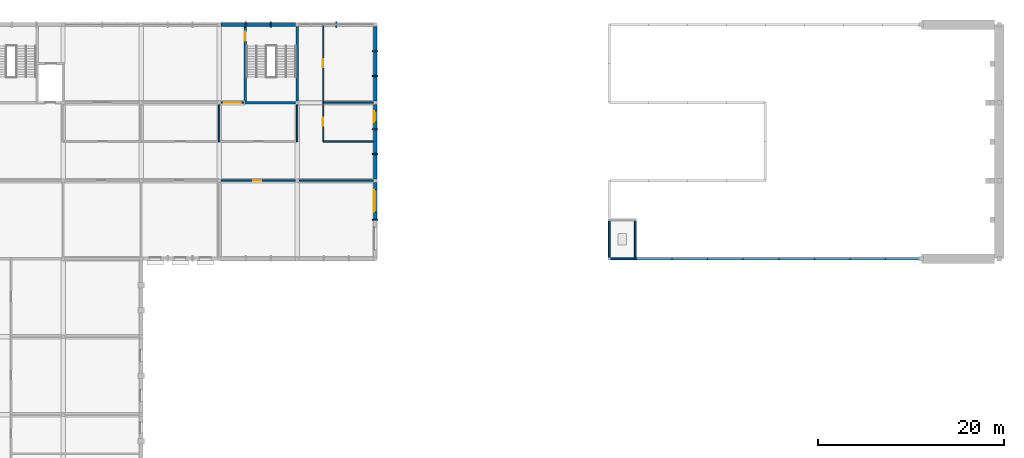
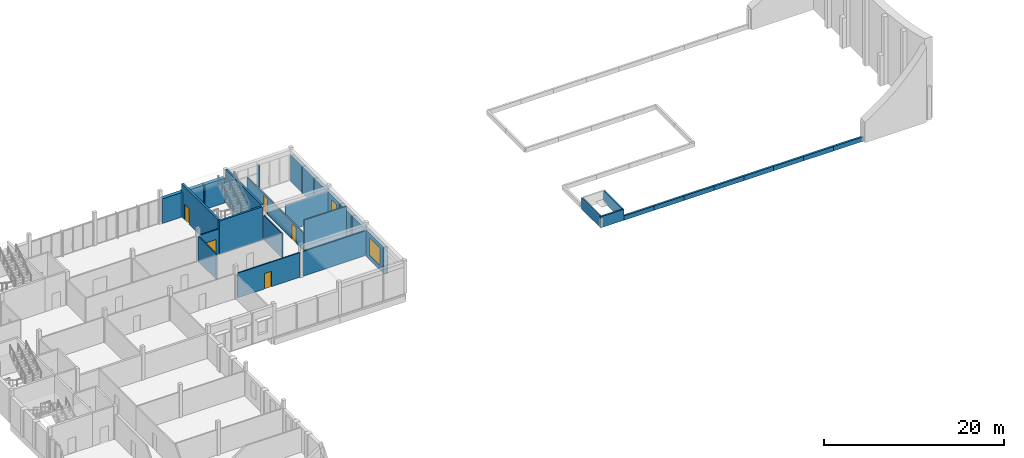
# One storey, part 19 of 22: 40 walls, 5 doors, 2 windows, 7 openings.
"""IFC4 building model written with IfcOpenShell, lengths in metres."""

import ifcopenshell
import ifcopenshell.guid

model = None  # the IFC model being written
_history = None  # IfcOwnerHistory: only IFC2X3 demands one
_inside = {}  # id of a spatial element -> (the spatial element, [elements in it])
_under = {}  # id of a project, library or spatial element -> (it, [spatial elements below it])
_declared = {}  # id of a project -> (the project, [libraries it declares])
_typed = {}  # id of a type object -> (the type object, [elements of that type])
_made_of = {}  # id of a material, layer set ... -> (it, [elements and type objects made of it])


def new_model(schema):
    """Start an empty IFC model of exactly this schema.

    Asked for "IFC4X3", IfcOpenShell would pick the latest addendum, in which some entities
    have other attributes; the version numbers below select the first issue.
    IFC2X3 requires an IfcOwnerHistory on every rooted entity: one is made here for all.
    """
    global model, _history
    if schema == "IFC4X3":
        model = ifcopenshell.file(schema_version=(4, 3, 0, 0))
    else:
        model = ifcopenshell.file(schema=schema)
    _inside.clear()
    _under.clear()
    _declared.clear()
    _typed.clear()
    _made_of.clear()
    _history = None
    if model.schema == "IFC2X3":
        org = make("IfcOrganization", Name="unknown")
        user = make(
            "IfcPersonAndOrganization",
            ThePerson=make("IfcPerson", FamilyName="unknown"),
            TheOrganization=org,
        )
        app = make(
            "IfcApplication",
            ApplicationDeveloper=org,
            Version="unknown",
            ApplicationFullName="unknown",
            ApplicationIdentifier="unknown",
        )
        _history = make(
            "IfcOwnerHistory",
            OwningUser=user,
            OwningApplication=app,
            ChangeAction="ADDED",
            CreationDate=0,
        )
    return model


def make(cls, **values):
    """One entity of the class cls with the attributes given. An attribute that is None is left unset."""
    return model.create_entity(
        cls, **{name: value for name, value in values.items() if value is not None}
    )


def rooted(cls, **values):
    """An entity with a GlobalId (a new one), such as an element, a storey or a relation."""
    return make(cls, GlobalId=ifcopenshell.guid.new(), OwnerHistory=_history, **values)


def si_unit(unit_type, name, prefix=None):
    """IfcSIUnit, for example si_unit("LENGTHUNIT", "METRE", prefix="MILLI")."""
    return make("IfcSIUnit", UnitType=unit_type, Prefix=prefix, Name=name)


def assignment(units):
    """IfcUnitAssignment: the units of a project."""
    return None if units is None else make("IfcUnitAssignment", Units=units)


def point(xyz):
    """IfcCartesianPoint."""
    return None if xyz is None else make("IfcCartesianPoint", Coordinates=xyz)


def direction(xyz):
    """IfcDirection."""
    return None if xyz is None else make("IfcDirection", DirectionRatios=xyz)


def frame(location, z_axis=None, x_axis=None):
    """IfcAxis2Placement3D, a coordinate frame: its origin and axes. An axis left out is left unset."""
    return make(
        "IfcAxis2Placement3D",
        Location=point(location),
        Axis=direction(z_axis),
        RefDirection=direction(x_axis),
    )


def frame_2d(location, x_axis=None):
    """IfcAxis2Placement2D, a coordinate frame in the plane: its origin and x axis."""
    return make(
        "IfcAxis2Placement2D", Location=point(location), RefDirection=direction(x_axis)
    )


def origin():
    """The frame at (0, 0, 0) with its axes left unset."""
    return frame((0.0, 0.0, 0.0))


def place(relative_to, where):
    """IfcLocalPlacement: puts the frame where relative to a parent placement (None: the world)."""
    return make(
        "IfcLocalPlacement", PlacementRelTo=relative_to, RelativePlacement=where
    )


def context(
    kind, dimensions, precision=None, world=None, true_north=None, identifier=None
):
    """IfcGeometricRepresentationContext, for example the 3D "Model" context."""
    return make(
        "IfcGeometricRepresentationContext",
        ContextIdentifier=identifier,
        ContextType=kind,
        CoordinateSpaceDimension=dimensions,
        Precision=precision,
        WorldCoordinateSystem=world,
        TrueNorth=true_north,
    )


def subcontext(parent, identifier, kind, view, scale=None):
    """IfcGeometricRepresentationSubContext, for example "Body" below "Model"."""
    return make(
        "IfcGeometricRepresentationSubContext",
        ContextIdentifier=identifier,
        ContextType=kind,
        ParentContext=parent,
        TargetScale=scale,
        TargetView=view,
    )


def project(units=None, contexts=None):
    """IfcProject with its units and contexts."""
    return rooted(
        "IfcProject",
        Name="project",
        RepresentationContexts=contexts,
        UnitsInContext=assignment(units),
    )


def spatial(cls, under=None, at=None, **own):
    """A site, building, storey or space (cls), placed at a placement, below another one or the project."""
    s = rooted(cls, ObjectPlacement=at, **own)
    if under is not None:
        _under.setdefault(under.id(), (under, []))[1].append(s)
    return s


def profile(cls, at=None, kind="AREA", **sizes):
    """A parametric profile (cls). Its sizes go by their IFC names, for example OverallWidth=200.0."""
    return make(cls, ProfileType=kind, Position=at, **sizes)


def rectangle(**sizes):
    """IfcRectangleProfileDef."""
    return profile("IfcRectangleProfileDef", **sizes)


def extrude(swept, where, along, depth):
    """IfcExtrudedAreaSolid: the profile swept, set in the frame where, extruded along a direction by depth."""
    return make(
        "IfcExtrudedAreaSolid",
        SweptArea=swept,
        Position=where,
        ExtrudedDirection=direction(along),
        Depth=depth,
    )


def shape(context_of_items, identifier, shape_type, items):
    """IfcShapeRepresentation: the items that make up one representation, for example the "Body"."""
    return make(
        "IfcShapeRepresentation",
        ContextOfItems=context_of_items,
        RepresentationIdentifier=identifier,
        RepresentationType=shape_type,
        Items=items,
    )


def material(Name=None, Category=None):
    """IfcMaterial."""
    return make("IfcMaterial", Name=Name, Category=Category)


def layer(
    of_material, thickness, ventilated=None, Name=None, Category=None, Priority=None
):
    """IfcMaterialLayer: one layer of a wall or slab, of a material (None: an air gap)."""
    return make(
        "IfcMaterialLayer",
        Material=of_material,
        LayerThickness=thickness,
        IsVentilated=ventilated,
        Name=Name,
        Category=Category,
        Priority=Priority,
    )


def layer_set(layers, Name=None):
    """IfcMaterialLayerSet."""
    return make("IfcMaterialLayerSet", MaterialLayers=layers, LayerSetName=Name)


def made_of(thing, what):
    """Note that an element or type object is made of a material, layer set ...; save() writes the relation."""
    if what is not None:
        _made_of.setdefault(what.id(), (what, []))[1].append(thing)
    return thing


def type_object(cls, material=None, **own):
    """A type object (cls), such as IfcWallType, which elements share."""
    return made_of(rooted(cls, **own), material)


def element(
    cls,
    number,
    at=None,
    inside=None,
    cuts=None,
    type_object=None,
    material=None,
    context=None,
    identifier="Body",
    shape_type=None,
    held_by="IfcProductDefinitionShape",
    body=None,
    shapes=None,
    **own,
):
    """One element of the class cls, such as IfcWall. Its Tag is "e" and its number.

    at: its placement. inside: the storey or other place that contains it. cuts: it is an
    opening in that element (IfcRelVoidsElement). A single representation is given by context,
    identifier, shape_type and body (its items); several are given by shapes. held_by: the class
    of the entity that holds the representations. save() writes the other relations.
    """
    e = rooted(cls, Tag="e%d" % number, ObjectPlacement=at, **own)
    if body is not None:
        shapes = [shape(context, identifier, shape_type, body)]
    if shapes is not None:
        e.Representation = make(held_by, Representations=shapes)
    if inside is not None:
        _inside.setdefault(inside.id(), (inside, []))[1].append(e)
    if cuts is not None:
        rooted(
            "IfcRelVoidsElement", RelatingBuildingElement=cuts, RelatedOpeningElement=e
        )
    if type_object is not None:
        _typed.setdefault(type_object.id(), (type_object, []))[1].append(e)
    return made_of(e, material)


def fill(opening, filler):
    """IfcRelFillsElement: the door or window that sits in an opening."""
    return rooted(
        "IfcRelFillsElement",
        RelatingOpeningElement=opening,
        RelatedBuildingElement=filler,
    )


def aggregate(whole, parts):
    """IfcRelAggregates: a whole, such as a stair, and the parts it consists of."""
    return rooted("IfcRelAggregates", RelatingObject=whole, RelatedObjects=parts)


def save(model, path):
    """Write the relations noted so far, then the file.

    IfcRelAggregates (storeys below a building ...), IfcRelContainedInSpatialStructure (elements
    in a storey), IfcRelDefinesByType, IfcRelAssociatesMaterial and IfcRelDeclares: one each for
    every whole, place, type object, material and project.
    """
    for whole, parts in _under.values():
        aggregate(whole, parts)
    for where, things in _inside.values():
        rooted(
            "IfcRelContainedInSpatialStructure",
            RelatedElements=things,
            RelatingStructure=where,
        )
    for kind, things in _typed.values():
        rooted("IfcRelDefinesByType", RelatedObjects=things, RelatingType=kind)
    for what, things in _made_of.values():
        rooted("IfcRelAssociatesMaterial", RelatedObjects=things, RelatingMaterial=what)
    for by, libraries in _declared.values():
        rooted("IfcRelDeclares", RelatingContext=by, RelatedDefinitions=libraries)
    model.write(path)


model = new_model("IFC4")

# Units and contexts
model_context = context("Model", 3, precision=1e-05, world=origin(), true_north=direction((0.0, 1.0)))
body_context = subcontext(model_context, "Body", "Model", "MODEL_VIEW")
ifc_project = project(units=[si_unit("LENGTHUNIT", "METRE"), si_unit("AREAUNIT", "SQUARE_METRE"), si_unit("VOLUMEUNIT", "CUBIC_METRE"), si_unit("PLANEANGLEUNIT", "RADIAN"), si_unit("MASSUNIT", "GRAM", prefix="KILO")], contexts=[model_context])

# Site, building, storey
site_placement = place(None, origin())
site = spatial("IfcSite", under=ifc_project, at=site_placement, CompositionType="ELEMENT")
building_placement = place(site_placement, origin())
building = spatial("IfcBuilding", under=site, at=building_placement, Name="Fescue Hill Polytechnic", CompositionType="ELEMENT")
storey_placement = place(building_placement, frame((0.0, 0.0, 27.0)))
storey = spatial("IfcBuildingStorey", under=building, at=storey_placement, Name="L06", CompositionType="ELEMENT", Elevation=27.0)

# Wall
ifc_material_1 = material(Name="Concrete 40 MPa", Category="concrete")
ifc_layer_1 = layer(ifc_material_1, 0.25)
ifc_layer_set_1 = layer_set([ifc_layer_1], Name="Concrete 40 MPa")
wall_type_1 = type_object("IfcWallType", Name="Core wall 250", PredefinedType="SHEAR", material=ifc_layer_set_1)
wall_1_placement = place(storey_placement, frame((36.27490234375, 126.0, 0.0), z_axis=(0.0, 0.0, 1.0), x_axis=(1.0, 0.0, 0.0)))
element("IfcWall", 1, at=wall_1_placement, inside=storey, type_object=wall_type_1, Name="CW-L06-ST-V5-2-11", PredefinedType="SHEAR", context=body_context, shape_type="SweptSolid", body=[
    extrude(rectangle(XDim=5.525146484375, YDim=0.25, at=frame_2d((2.7626953125, 0.0))), origin(), (0.0, 0.0, 1.0), 4.5),
])

# Wall, opening, door
wall_2_placement = place(storey_placement, frame((36.39990234375, 126.125, 0.0), z_axis=(0.0, 0.0, 1.0), x_axis=(0.0, 1.0, 0.0)))
wall_2 = element("IfcWall", 2, at=wall_2_placement, inside=storey, type_object=wall_type_1, Name="CW-L06-ST-V5-2-31", PredefinedType="SHEAR", context=body_context, shape_type="SweptSolid", body=[
    extrude(rectangle(XDim=8.14990234375, YDim=0.25, at=frame_2d((4.074951171875, 0.0))), origin(), (0.0, 0.0, 1.0), 4.5),
])
opening_1_placement = place(wall_2_placement, frame((6.52490234375, 0.0, 0.0)))
opening_1 = element("IfcOpeningElement", 3, at=opening_1_placement, cuts=wall_2, Name="Opening D6030", PredefinedType="OPENING", context=body_context, shape_type="SweptSolid", body=[
    extrude(rectangle(XDim=1.0, YDim=2.10009765625, at=frame_2d((0.5, 1.050048828125))), frame((0.0, 0.135009765625, 0.0), z_axis=(0.0, -1.0, 0.0), x_axis=(1.0, 0.0, 0.0)), (0.0, 0.0, 1.0), 0.27001953125),
])
ifc_material_2 = material(Name="Steel fire door", Category="steel")
door_type_1 = type_object("IfcDoorType", Name="Door single swing 1000x2100 stair fire rated", OperationType="NOTDEFINED", PredefinedType="DOOR", material=ifc_material_2)
door_1_placement = place(opening_1_placement, origin())
door_1 = element("IfcDoor", 4, at=door_1_placement, inside=storey, type_object=door_type_1, Name="L06 ST-V5-2 stair door", OperationType="SINGLE_SWING_LEFT", OverallHeight=2.10009765625, OverallWidth=1.0, PredefinedType="DOOR", context=body_context, shape_type="SweptSolid", body=[
    extrude(rectangle(XDim=1.0, YDim=2.10009765625, at=frame_2d((0.5, 1.050048828125))), frame((0.0, 0.02490234375, 0.0), z_axis=(0.0, -1.0, 0.0), x_axis=(1.0, 0.0, 0.0)), (0.0, 0.0, 1.0), 0.050048828125),
])
fill(opening_1, door_1)

# Wall
wall_3_placement = place(storey_placement, frame((42.0, 126.199951171875, 0.0), z_axis=(0.0, 0.0, 1.0), x_axis=(0.0, 1.0, 0.0)))
element("IfcWall", 5, at=wall_3_placement, inside=storey, type_object=wall_type_1, Name="CW-L06-ST-V5-2-41", PredefinedType="SHEAR", context=body_context, shape_type="SweptSolid", body=[
    extrude(rectangle(XDim=8.0, YDim=0.25, at=frame_2d((4.0, 0.0))), origin(), (0.0, 0.0, 1.0), 4.5),
])

# Wall, opening, door
ifc_material_3 = material(Name="Gypsum board partition")
ifc_layer_2 = layer(ifc_material_3, 0.14990234375)
ifc_layer_set_2 = layer_set([ifc_layer_2], Name="Gypsum board partition")
wall_type_2 = type_object("IfcWallType", Name="Corridor wall 150 EI 45", PredefinedType="PARTITIONING", material=ifc_layer_set_2)
wall_4_placement = place(storey_placement, frame((33.800048828125, 117.60009765625, 0.0), z_axis=(0.0, 0.0, 1.0), x_axis=(1.0, 0.0, 0.0)))
wall_4 = element("IfcWall", 6, at=wall_4_placement, inside=storey, type_object=wall_type_2, Name="IW-L06-025", PredefinedType="PARTITIONING", context=body_context, shape_type="SweptSolid", body=[
    extrude(rectangle(XDim=8.0, YDim=0.14990234375, at=frame_2d((4.0, 0.0))), origin(), (0.0, 0.0, 1.0), 3.35009765625),
])
opening_2_placement = place(wall_4_placement, frame((3.449951171875, 0.0, 0.0)))
opening_2 = element("IfcOpeningElement", 7, at=opening_2_placement, cuts=wall_4, Name="Opening D6017", PredefinedType="OPENING", context=body_context, shape_type="SweptSolid", body=[
    extrude(rectangle(XDim=0.89990234375, YDim=2.10009765625, at=frame_2d((0.449951171875, 1.050048828125))), frame((0.0, 0.0849609375, 0.0), z_axis=(0.0, -1.0, 0.0), x_axis=(1.0, 0.0, 0.0)), (0.0, 0.0, 1.0), 0.169921875),
])
ifc_material_4 = material(Name="Timber", Category="wood")
door_type_2 = type_object("IfcDoorType", Name="Door single swing 900x2100 FD30S", OperationType="SINGLE_SWING_LEFT", PredefinedType="DOOR", material=ifc_material_4)
door_2_placement = place(opening_2_placement, origin())
door_2 = element("IfcDoor", 8, at=door_2_placement, inside=storey, type_object=door_type_2, Name="Door D6017", OperationType="SINGLE_SWING_LEFT", OverallHeight=2.10009765625, OverallWidth=0.89990234375, PredefinedType="DOOR", context=body_context, shape_type="SweptSolid", body=[
    extrude(rectangle(XDim=0.89990234375, YDim=2.10009765625, at=frame_2d((0.449951171875, 1.050048828125))), frame((0.0, 0.02490234375, 0.0), z_axis=(0.0, -1.0, 0.0), x_axis=(1.0, 0.0, 0.0)), (0.0, 0.0, 1.0), 0.050048828125),
])
fill(opening_2, door_2)

# Walls
wall_5_placement = place(storey_placement, frame((42.199951171875, 117.60009765625, 0.0), z_axis=(0.0, 0.0, 1.0), x_axis=(1.0, 0.0, 0.0)))
element("IfcWall", 9, at=wall_5_placement, inside=storey, type_object=wall_type_2, Name="IW-L06-026", PredefinedType="PARTITIONING", context=body_context, shape_type="SweptSolid", body=[
    extrude(rectangle(XDim=8.0, YDim=0.14990234375, at=frame_2d((4.0, 0.0))), origin(), (0.0, 0.0, 1.0), 3.35009765625),
])
wall_6_placement = place(storey_placement, frame((44.800048828125, 121.800048828125, 0.0), z_axis=(0.0, 0.0, 1.0), x_axis=(1.0, 0.0, 0.0)))
element("IfcWall", 10, at=wall_6_placement, inside=storey, type_object=wall_type_2, Name="IW-L06-029", PredefinedType="PARTITIONING", context=body_context, shape_type="SweptSolid", body=[
    extrude(rectangle(XDim=5.39990234375, YDim=0.14990234375, at=frame_2d((2.699951171875, 0.0))), origin(), (0.0, 0.0, 1.0), 4.14990234375),
])
wall_7_placement = place(storey_placement, frame((42.0, 121.800048828125, 0.0), z_axis=(0.0, 0.0, 1.0), x_axis=(0.0, 1.0, 0.0)))
element("IfcWall", 11, at=wall_7_placement, inside=storey, type_object=wall_type_2, Name="IW-L06-053", PredefinedType="PARTITIONING", context=body_context, shape_type="SweptSolid", body=[
    extrude(rectangle(XDim=4.0, YDim=0.14990234375, at=frame_2d((2.0, 0.0))), origin(), (0.0, 0.0, 1.0), 3.35009765625),
])

# Wall, openings, doors
wall_8_placement = place(storey_placement, frame((44.800048828125, 121.800048828125, 0.0), z_axis=(0.0, 0.0, 1.0), x_axis=(0.0, 1.0, 0.0)))
wall_8 = element("IfcWall", 12, at=wall_8_placement, inside=storey, type_object=wall_type_2, Name="IW-L06-054", PredefinedType="PARTITIONING", context=body_context, shape_type="SweptSolid", body=[
    extrude(rectangle(XDim=12.599853515625, YDim=0.14990234375, at=frame_2d((6.2998046875, 0.0))), origin(), (0.0, 0.0, 1.0), 2.3701171875),
])
opening_3_placement = place(wall_8_placement, frame((1.699951171875, 0.0, 0.0)))
opening_3 = element("IfcOpeningElement", 13, at=opening_3_placement, cuts=wall_8, Name="Opening D6021", PredefinedType="OPENING", context=body_context, shape_type="SweptSolid", body=[
    extrude(rectangle(XDim=0.89990234375, YDim=2.10009765625, at=frame_2d((0.449951171875, 1.050048828125))), frame((0.0, 0.0849609375, 0.0), z_axis=(0.0, -1.0, 0.0), x_axis=(1.0, 0.0, 0.0)), (0.0, 0.0, 1.0), 0.169921875),
])
opening_4_placement = place(wall_8_placement, frame((8.0, 0.0, 0.0)))
opening_4 = element("IfcOpeningElement", 14, at=opening_4_placement, cuts=wall_8, Name="Opening D6025", PredefinedType="OPENING", context=body_context, shape_type="SweptSolid", body=[
    extrude(rectangle(XDim=0.89990234375, YDim=2.10009765625, at=frame_2d((0.449951171875, 1.050048828125))), frame((0.0, 0.0849609375, 0.0), z_axis=(0.0, -1.0, 0.0), x_axis=(1.0, 0.0, 0.0)), (0.0, 0.0, 1.0), 0.169921875),
])
door_3_placement = place(opening_3_placement, origin())
door_3 = element("IfcDoor", 15, at=door_3_placement, inside=storey, type_object=door_type_2, Name="Door D6021", OperationType="SINGLE_SWING_LEFT", OverallHeight=2.10009765625, OverallWidth=0.89990234375, PredefinedType="DOOR", context=body_context, shape_type="SweptSolid", body=[
    extrude(rectangle(XDim=0.89990234375, YDim=2.10009765625, at=frame_2d((0.449951171875, 1.050048828125))), frame((0.0, 0.02490234375, 0.0), z_axis=(0.0, -1.0, 0.0), x_axis=(1.0, 0.0, 0.0)), (0.0, 0.0, 1.0), 0.050048828125),
])
fill(opening_3, door_3)
door_4_placement = place(opening_4_placement, origin())
door_4 = element("IfcDoor", 16, at=door_4_placement, inside=storey, type_object=door_type_2, Name="Door D6025", OperationType="SINGLE_SWING_RIGHT", OverallHeight=2.10009765625, OverallWidth=0.89990234375, PredefinedType="DOOR", context=body_context, shape_type="SweptSolid", body=[
    extrude(rectangle(XDim=0.89990234375, YDim=2.10009765625, at=frame_2d((0.449951171875, 1.050048828125))), frame((0.0, 0.02490234375, 0.0), z_axis=(0.0, -1.0, 0.0), x_axis=(1.0, 0.0, 0.0)), (0.0, 0.0, 1.0), 0.050048828125),
])
fill(opening_4, door_4)

# Walls
ifc_layer_3 = layer(ifc_material_1, 0.449951171875)
ifc_layer_set_3 = layer_set([ifc_layer_3], Name="Concrete 40 MPa")
wall_type_3 = type_object("IfcWallType", Name="Exterior wall board-marked concrete 450", PredefinedType="SOLIDWALL", material=ifc_layer_set_3)
wall_9_placement = place(storey_placement, frame((36.40673828125, 134.39990234375, 0.0), z_axis=(0.0, 0.0, 1.0), x_axis=(-1.0, 0.0, 0.0)))
element("IfcWall", 17, at=wall_9_placement, inside=storey, type_object=wall_type_3, Name="EW-L06-V5-12", PredefinedType="SOLIDWALL", context=body_context, shape_type="SweptSolid", body=[
    extrude(rectangle(XDim=2.606689453125, YDim=0.449951171875, at=frame_2d((1.30322265625, 0.0))), origin(), (0.0, 0.0, 1.0), 3.35009765625),
])
ifc_layer_4 = layer(ifc_material_1, 0.449951171875)
ifc_layer_set_4 = layer_set([ifc_layer_4], Name="Concrete 40 MPa")
wall_type_4 = type_object("IfcWallType", Name="Exterior wall board-marked concrete 450 load-bearing", PredefinedType="SOLIDWALL", material=ifc_layer_set_4)
wall_10_placement = place(storey_placement, frame((41.800048828125, 134.39990234375, 0.0), z_axis=(0.0, 0.0, 1.0), x_axis=(-1.0, 0.0, 0.0)))
element("IfcWall", 18, at=wall_10_placement, inside=storey, type_object=wall_type_4, Name="EW-L06-V5-10", PredefinedType="SOLIDWALL", context=body_context, shape_type="SweptSolid", body=[
    extrude(rectangle(XDim=2.606689453125, YDim=0.449951171875, at=frame_2d((1.30322265625, 0.0))), origin(), (0.0, 0.0, 1.0), 3.35009765625),
])
wall_11_placement = place(storey_placement, frame((39.0732421875, 134.39990234375, 0.0), z_axis=(0.0, 0.0, 1.0), x_axis=(-1.0, 0.0, 0.0)))
element("IfcWall", 19, at=wall_11_placement, inside=storey, type_object=wall_type_4, Name="EW-L06-V5-11", PredefinedType="SOLIDWALL", context=body_context, shape_type="SweptSolid", body=[
    extrude(rectangle(XDim=2.546630859375, YDim=0.449951171875, at=frame_2d((1.2734375, 0.0))), origin(), (0.0, 0.0, 1.0), 3.35009765625),
])

# Wall, opening, window
ifc_material_5 = material(Name="Clay brick masonry", Category="masonry")
ifc_layer_5 = layer(ifc_material_5, 0.39990234375)
ifc_layer_set_5 = layer_set([ifc_layer_5], Name="Clay brick masonry")
wall_type_5 = type_object("IfcWallType", Name="Exterior wall clinker brick cavity 400", PredefinedType="SOLIDWALL", material=ifc_layer_set_5)
wall_12_placement = place(storey_placement, frame((50.39990234375, 113.4599609375, 0.0), z_axis=(0.0, 0.0, 1.0), x_axis=(0.0, 1.0, 0.0)))
wall_12 = element("IfcWall", 20, at=wall_12_placement, inside=storey, type_object=wall_type_5, Name="EW-L06-V5-2", PredefinedType="SOLIDWALL", context=body_context, shape_type="SweptSolid", body=[
    extrude(rectangle(XDim=3.93994140625, YDim=0.39990234375, at=frame_2d((1.969970703125, 0.0))), origin(), (0.0, 0.0, 1.0), 3.60009765625),
])
opening_5_placement = place(wall_12_placement, frame((0.77001953125, 0.0, 0.60009765625)))
opening_5 = element("IfcOpeningElement", 21, at=opening_5_placement, cuts=wall_12, Name="Opening W4", PredefinedType="OPENING", context=body_context, shape_type="SweptSolid", body=[
    extrude(rectangle(XDim=2.39990234375, YDim=2.39990234375, at=frame_2d((1.199951171875, 1.199951171875))), frame((0.0, 0.2099609375, 0.0), z_axis=(0.0, -1.0, 0.0), x_axis=(1.0, 0.0, 0.0)), (0.0, 0.0, 1.0), 0.419921875),
])
ifc_material_6 = material(Name="Powder-coated aluminium and glass", Category="aluminium")
window_type_1 = type_object("IfcWindowType", Name="Window library tall 2400x2400", PartitioningType="DOUBLE_PANEL_VERTICAL", PredefinedType="WINDOW", material=ifc_material_6)
window_1_placement = place(opening_5_placement, origin())
window_1 = element("IfcWindow", 22, at=window_1_placement, inside=storey, type_object=window_type_1, Name="WN-L06-V5-2", OverallHeight=2.39990234375, OverallWidth=2.39990234375, PartitioningType="SINGLE_PANEL", PredefinedType="WINDOW", context=body_context, shape_type="SweptSolid", body=[
    extrude(rectangle(XDim=2.39990234375, YDim=2.39990234375, at=frame_2d((1.199951171875, 1.199951171875))), frame((0.0, 0.159912109375, 0.0), z_axis=(0.0, -1.0, 0.0), x_axis=(1.0, 0.0, 0.0)), (0.0, 0.0, 1.0), 0.06005859375),
])
fill(opening_5, window_1)

# Walls
wall_13_placement = place(storey_placement, frame((50.39990234375, 117.800048828125, 0.0), z_axis=(0.0, 0.0, 1.0), x_axis=(0.0, 1.0, 0.0)))
element("IfcWall", 23, at=wall_13_placement, inside=storey, type_object=wall_type_5, Name="EW-L06-V5-3", PredefinedType="SOLIDWALL", context=body_context, shape_type="SweptSolid", body=[
    extrude(rectangle(XDim=2.606689453125, YDim=0.39990234375, at=frame_2d((1.30322265625, 0.0))), origin(), (0.0, 0.0, 1.0), 3.60009765625),
])
wall_14_placement = place(storey_placement, frame((50.39990234375, 120.526611328125, 0.0), z_axis=(0.0, 0.0, 1.0), x_axis=(0.0, 1.0, 0.0)))
element("IfcWall", 24, at=wall_14_placement, inside=storey, type_object=wall_type_5, Name="EW-L06-V5-4", PredefinedType="SOLIDWALL", context=body_context, shape_type="SweptSolid", body=[
    extrude(rectangle(XDim=2.546630859375, YDim=0.39990234375, at=frame_2d((1.2734375, 0.0))), origin(), (0.0, 0.0, 1.0), 3.60009765625),
])

# Wall, opening, window
wall_15_placement = place(storey_placement, frame((50.39990234375, 123.193359375, 0.0), z_axis=(0.0, 0.0, 1.0), x_axis=(0.0, 1.0, 0.0)))
wall_15 = element("IfcWall", 25, at=wall_15_placement, inside=storey, type_object=wall_type_5, Name="EW-L06-V5-5", PredefinedType="SOLIDWALL", context=body_context, shape_type="SweptSolid", body=[
    extrude(rectangle(XDim=2.606689453125, YDim=0.39990234375, at=frame_2d((1.30322265625, 0.0))), origin(), (0.0, 0.0, 1.0), 3.60009765625),
])
opening_6_placement = place(wall_15_placement, frame((0.703369140625, 0.0, 0.89990234375)))
opening_6 = element("IfcOpeningElement", 26, at=opening_6_placement, cuts=wall_15, Name="Opening W13", PredefinedType="OPENING", context=body_context, shape_type="SweptSolid", body=[
    extrude(rectangle(XDim=1.199951171875, YDim=2.10009765625, at=frame_2d((0.60009765625, 1.050048828125))), frame((0.0, 0.2099609375, 0.0), z_axis=(0.0, -1.0, 0.0), x_axis=(1.0, 0.0, 0.0)), (0.0, 0.0, 1.0), 0.419921875),
])
window_type_2 = type_object("IfcWindowType", Name="Window cellular office 1200x2100", PartitioningType="SINGLE_PANEL", PredefinedType="WINDOW", material=ifc_material_6)
window_2_placement = place(opening_6_placement, origin())
window_2 = element("IfcWindow", 27, at=window_2_placement, inside=storey, type_object=window_type_2, Name="WN-L06-V5-3", OverallHeight=2.10009765625, OverallWidth=1.199951171875, PartitioningType="SINGLE_PANEL", PredefinedType="WINDOW", context=body_context, shape_type="SweptSolid", body=[
    extrude(rectangle(XDim=1.199951171875, YDim=2.10009765625, at=frame_2d((0.60009765625, 1.050048828125))), frame((0.0, 0.159912109375, 0.0), z_axis=(0.0, -1.0, 0.0), x_axis=(1.0, 0.0, 0.0)), (0.0, 0.0, 1.0), 0.06005859375),
])
fill(opening_6, window_2)

# Walls
wall_16_placement = place(storey_placement, frame((50.39990234375, 126.199951171875, 0.0), z_axis=(0.0, 0.0, 1.0), x_axis=(0.0, 1.0, 0.0)))
element("IfcWall", 28, at=wall_16_placement, inside=storey, type_object=wall_type_5, Name="EW-L06-V5-6", PredefinedType="SOLIDWALL", context=body_context, shape_type="SweptSolid", body=[
    extrude(rectangle(XDim=2.606689453125, YDim=0.39990234375, at=frame_2d((1.30322265625, 0.0))), origin(), (0.0, 0.0, 1.0), 3.60009765625),
])
wall_17_placement = place(storey_placement, frame((50.39990234375, 128.9267578125, 0.0), z_axis=(0.0, 0.0, 1.0), x_axis=(0.0, 1.0, 0.0)))
element("IfcWall", 29, at=wall_17_placement, inside=storey, type_object=wall_type_5, Name="EW-L06-V5-7", PredefinedType="SOLIDWALL", context=body_context, shape_type="SweptSolid", body=[
    extrude(rectangle(XDim=2.546630859375, YDim=0.39990234375, at=frame_2d((1.2734375, 0.0))), origin(), (0.0, 0.0, 1.0), 3.60009765625),
])
wall_18_placement = place(storey_placement, frame((50.39990234375, 131.59326171875, 0.0), z_axis=(0.0, 0.0, 1.0), x_axis=(0.0, 1.0, 0.0)))
element("IfcWall", 30, at=wall_18_placement, inside=storey, type_object=wall_type_5, Name="EW-L06-V5-8", PredefinedType="SOLIDWALL", context=body_context, shape_type="SweptSolid", body=[
    extrude(rectangle(XDim=2.606689453125, YDim=0.39990234375, at=frame_2d((1.30322265625, 0.0))), origin(), (0.0, 0.0, 1.0), 3.60009765625),
])
ifc_layer_6 = layer(ifc_material_1, 0.199951171875)
ifc_layer_set_6 = layer_set([ifc_layer_6], Name="Concrete 40 MPa")
wall_type_6 = type_object("IfcWallType", Name="Lift shaft wall 200", PredefinedType="SHEAR", material=ifc_layer_set_6)
wall_19_placement = place(storey_placement, frame((75.5, 109.199951171875, 0.0), z_axis=(0.0, 0.0, 1.0), x_axis=(1.0, 0.0, 0.0)))
element("IfcWall", 31, at=wall_19_placement, inside=storey, type_object=wall_type_6, Name="OW-LF-V4b-1-1", PredefinedType="SHEAR", context=body_context, shape_type="SweptSolid", body=[
    extrude(rectangle(XDim=3.0, YDim=0.199951171875, at=frame_2d((1.5, 0.0))), origin(), (0.0, 0.0, 1.0), 1.5),
])
for number, where, z_axis, x_axis, name in (
    (32, (75.60009765625, 109.300048828125, 0.0), (0.0, 0.0, 1.0), (0.0, 1.0, 0.0), "OW-LF-V4b-1-3"),
    (33, (78.39990234375, 109.300048828125, 0.0), (0.0, 0.0, 1.0), (0.0, 1.0, 0.0), "OW-LF-V4b-1-4"),
):
    element("IfcWall", number, at=place(storey_placement, frame(where, z_axis=z_axis, x_axis=x_axis)), inside=storey, type_object=wall_type_6, Name=name, PredefinedType="SHEAR", context=body_context, shape_type="SweptSolid", body=[
        extrude(rectangle(XDim=4.0, YDim=0.199951171875, at=frame_2d((2.0, 0.0))), origin(), (0.0, 0.0, 1.0), 1.5),
    ])
ifc_material_7 = material(Name="Concrete 35 MPa", Category="concrete")
ifc_layer_7 = layer(ifc_material_7, 0.25)
ifc_layer_set_7 = layer_set([ifc_layer_7], Name="Concrete 35 MPa")
wall_type_7 = type_object("IfcWallType", Name="Parapet wall concrete 250", PredefinedType="PARAPET", material=ifc_layer_set_7)
wall_20_placement = place(storey_placement, frame((109.199951171875, 109.199951171875, 0.0), z_axis=(0.0, 0.0, 1.0), x_axis=(-1.0, 0.0, 0.0)))
element("IfcWall", 34, at=wall_20_placement, inside=storey, type_object=wall_type_7, Name="PP-L06-V4b-1", PredefinedType="PARAPET", context=body_context, shape_type="SweptSolid", body=[
    extrude(rectangle(XDim=3.83740234375, YDim=0.25, at=frame_2d((1.918701171875, 0.0))), origin(), (0.0, 0.0, 1.0), 0.60009765625),
])
wall_21_placement = place(storey_placement, frame((105.362548828125, 109.199951171875, 0.0), z_axis=(0.0, 0.0, 1.0), x_axis=(-1.0, 0.0, 0.0)))
element("IfcWall", 35, at=wall_21_placement, inside=storey, type_object=wall_type_7, Name="PP-L06-V4b-2", PredefinedType="PARAPET", context=body_context, shape_type="SweptSolid", body=[
    extrude(rectangle(XDim=3.837646484375, YDim=0.25, at=frame_2d((1.9189453125, 0.0))), origin(), (0.0, 0.0, 1.0), 0.60009765625),
])
for number, where, z_axis, x_axis, name in (
    (36, (101.52490234375, 109.199951171875, 0.0), (0.0, 0.0, 1.0), (-1.0, 0.0, 0.0), "PP-L06-V4b-3"),
    (37, (97.6875, 109.199951171875, 0.0), (0.0, 0.0, 1.0), (-1.0, 0.0, 0.0), "PP-L06-V4b-4"),
):
    element("IfcWall", number, at=place(storey_placement, frame(where, z_axis=z_axis, x_axis=x_axis)), inside=storey, type_object=wall_type_7, Name=name, PredefinedType="PARAPET", context=body_context, shape_type="SweptSolid", body=[
        extrude(rectangle(XDim=3.83740234375, YDim=0.25, at=frame_2d((1.918701171875, 0.0))), origin(), (0.0, 0.0, 1.0), 0.60009765625),
    ])
wall_22_placement = place(storey_placement, frame((93.85009765625, 109.199951171875, 0.0), z_axis=(0.0, 0.0, 1.0), x_axis=(-1.0, 0.0, 0.0)))
element("IfcWall", 38, at=wall_22_placement, inside=storey, type_object=wall_type_7, Name="PP-L06-V4b-5", PredefinedType="PARAPET", context=body_context, shape_type="SweptSolid", body=[
    extrude(rectangle(XDim=3.837646484375, YDim=0.25, at=frame_2d((1.9189453125, 0.0))), origin(), (0.0, 0.0, 1.0), 0.60009765625),
])
wall_23_placement = place(storey_placement, frame((90.012451171875, 109.199951171875, 0.0), z_axis=(0.0, 0.0, 1.0), x_axis=(-1.0, 0.0, 0.0)))
element("IfcWall", 39, at=wall_23_placement, inside=storey, type_object=wall_type_7, Name="PP-L06-V4b-6", PredefinedType="PARAPET", context=body_context, shape_type="SweptSolid", body=[
    extrude(rectangle(XDim=3.83740234375, YDim=0.25, at=frame_2d((1.918701171875, 0.0))), origin(), (0.0, 0.0, 1.0), 0.60009765625),
])
wall_24_placement = place(storey_placement, frame((86.175048828125, 109.199951171875, 0.0), z_axis=(0.0, 0.0, 1.0), x_axis=(-1.0, 0.0, 0.0)))
element("IfcWall", 40, at=wall_24_placement, inside=storey, type_object=wall_type_7, Name="PP-L06-V4b-7", PredefinedType="PARAPET", context=body_context, shape_type="SweptSolid", body=[
    extrude(rectangle(XDim=3.837646484375, YDim=0.25, at=frame_2d((1.9189453125, 0.0))), origin(), (0.0, 0.0, 1.0), 0.60009765625),
])
wall_25_placement = place(storey_placement, frame((82.33740234375, 109.199951171875, 0.0), z_axis=(0.0, 0.0, 1.0), x_axis=(-1.0, 0.0, 0.0)))
element("IfcWall", 41, at=wall_25_placement, inside=storey, type_object=wall_type_7, Name="PP-L06-V4b-8", PredefinedType="PARAPET", context=body_context, shape_type="SweptSolid", body=[
    extrude(rectangle(XDim=3.83740234375, YDim=0.25, at=frame_2d((1.918701171875, 0.0))), origin(), (0.0, 0.0, 1.0), 0.60009765625),
])

# Wall, opening, door
ifc_layer_8 = layer(ifc_material_3, 0.14990234375)
ifc_layer_set_8 = layer_set([ifc_layer_8], Name="Gypsum board partition")
wall_type_8 = type_object("IfcWallType", Name="Partition stud 150 acoustic", PredefinedType="PARTITIONING", material=ifc_layer_set_8)
wall_26_placement = place(storey_placement, frame((33.800048828125, 126.0, 0.0), z_axis=(0.0, 0.0, 1.0), x_axis=(1.0, 0.0, 0.0)))
wall_26 = element("IfcWall", 42, at=wall_26_placement, inside=storey, type_object=wall_type_8, Name="IW-L06-032", PredefinedType="PARTITIONING", context=body_context, shape_type="SweptSolid", body=[
    extrude(rectangle(XDim=2.449951171875, YDim=0.14990234375, at=frame_2d((1.22509765625, 0.0))), origin(), (0.0, 0.0, 1.0), 3.39990234375),
])
opening_7_placement = place(wall_26_placement, frame((0.300048828125, 0.0, 0.0)))
opening_7 = element("IfcOpeningElement", 43, at=opening_7_placement, cuts=wall_26, Name="Opening D6023", PredefinedType="OPENING", context=body_context, shape_type="SweptSolid", body=[
    extrude(rectangle(XDim=1.800048828125, YDim=2.10009765625, at=frame_2d((0.89990234375, 1.050048828125))), frame((0.0, 0.0849609375, 0.0), z_axis=(0.0, -1.0, 0.0), x_axis=(1.0, 0.0, 0.0)), (0.0, 0.0, 1.0), 0.169921875),
])
door_type_3 = type_object("IfcDoorType", Name="Door double swing 1800x2100", OperationType="DOUBLE_DOOR_SINGLE_SWING", PredefinedType="DOOR", material=ifc_material_4)
door_5_placement = place(opening_7_placement, origin())
door_5 = element("IfcDoor", 44, at=door_5_placement, inside=storey, type_object=door_type_3, Name="Door D6023", OperationType="DOUBLE_DOOR_SINGLE_SWING", OverallHeight=2.10009765625, OverallWidth=1.800048828125, PredefinedType="DOOR", context=body_context, shape_type="SweptSolid", body=[
    extrude(rectangle(XDim=1.800048828125, YDim=2.10009765625, at=frame_2d((0.89990234375, 1.050048828125))), frame((0.0, 0.02490234375, 0.0), z_axis=(0.0, -1.0, 0.0), x_axis=(1.0, 0.0, 0.0)), (0.0, 0.0, 1.0), 0.050048828125),
])
fill(opening_7, door_5)

# Walls
wall_27_placement = place(storey_placement, frame((44.800048828125, 126.0, 0.0), z_axis=(0.0, 0.0, 1.0), x_axis=(1.0, 0.0, 0.0)))
element("IfcWall", 45, at=wall_27_placement, inside=storey, type_object=wall_type_8, Name="IW-L06-033", PredefinedType="PARTITIONING", context=body_context, shape_type="SweptSolid", body=[
    extrude(rectangle(XDim=5.39990234375, YDim=0.14990234375, at=frame_2d((2.699951171875, 0.0))), origin(), (0.0, 0.0, 1.0), 3.60009765625),
])
wall_28_placement = place(storey_placement, frame((33.60009765625, 121.800048828125, 0.0), z_axis=(0.0, 0.0, 1.0), x_axis=(0.0, 1.0, 0.0)))
element("IfcWall", 46, at=wall_28_placement, inside=storey, type_object=wall_type_8, Name="IW-L06-052", PredefinedType="PARTITIONING", context=body_context, shape_type="SweptSolid", body=[
    extrude(rectangle(XDim=4.0, YDim=0.14990234375, at=frame_2d((2.0, 0.0))), origin(), (0.0, 0.0, 1.0), 3.39990234375),
])
ifc_material_8 = material(Name="Glulam 24f-EX", Category="wood")
ifc_layer_9 = layer(ifc_material_8, 0.60009765625)
ifc_layer_set_9 = layer_set([ifc_layer_9], Name="Glulam 24f-EX")
wall_type_9 = type_object("IfcWallType", Name="Timber fin 120x600", PredefinedType="SOLIDWALL", material=ifc_layer_set_9)
for number, where, z_axis, x_axis, name in (
    (47, (50.39990234375, 113.340087890625, 0.0), (0.0, 0.0, 1.0), (0.0, 1.0, 0.0), "PR-L06-V5-1"),
    (48, (50.39990234375, 120.40673828125, 0.0), (0.0, 0.0, 1.0), (0.0, 1.0, 0.0), "PR-L06-V5-2"),
):
    element("IfcWall", number, at=place(storey_placement, frame(where, z_axis=z_axis, x_axis=x_axis)), inside=storey, type_object=wall_type_9, Name=name, PredefinedType="SOLIDWALL", context=body_context, shape_type="SweptSolid", body=[
        extrude(rectangle(XDim=0.119873046875, YDim=0.60009765625, at=frame_2d((0.06005859375, 0.0))), origin(), (0.0, 0.0, 1.0), 3.60009765625),
    ])
for number, where, z_axis, x_axis, name in (
    (49, (50.39990234375, 123.0732421875, 0.0), (0.0, 0.0, 1.0), (0.0, 1.0, 0.0), "PR-L06-V5-3"),
    (50, (50.39990234375, 128.806640625, 0.0), (0.0, 0.0, 1.0), (0.0, 1.0, 0.0), "PR-L06-V5-4"),
):
    element("IfcWall", number, at=place(storey_placement, frame(where, z_axis=z_axis, x_axis=x_axis)), inside=storey, type_object=wall_type_9, Name=name, PredefinedType="SOLIDWALL", context=body_context, shape_type="SweptSolid", body=[
        extrude(rectangle(XDim=0.1201171875, YDim=0.60009765625, at=frame_2d((0.06005859375, 0.0))), origin(), (0.0, 0.0, 1.0), 3.60009765625),
    ])
wall_29_placement = place(storey_placement, frame((50.39990234375, 131.473388671875, 0.0), z_axis=(0.0, 0.0, 1.0), x_axis=(0.0, 1.0, 0.0)))
element("IfcWall", 51, at=wall_29_placement, inside=storey, type_object=wall_type_9, Name="PR-L06-V5-5", PredefinedType="SOLIDWALL", context=body_context, shape_type="SweptSolid", body=[
    extrude(rectangle(XDim=0.119873046875, YDim=0.60009765625, at=frame_2d((0.06005859375, 0.0))), origin(), (0.0, 0.0, 1.0), 3.60009765625),
])
wall_30_placement = place(storey_placement, frame((46.260009765625, 134.39990234375, 0.0), z_axis=(0.0, 0.0, 1.0), x_axis=(-1.0, 0.0, 0.0)))
element("IfcWall", 52, at=wall_30_placement, inside=storey, type_object=wall_type_9, Name="PR-L06-V5-6", PredefinedType="SOLIDWALL", context=body_context, shape_type="SweptSolid", body=[
    extrude(rectangle(XDim=0.1201171875, YDim=0.60009765625, at=frame_2d((0.06005859375, 0.0))), origin(), (0.0, 0.0, 1.0), 3.60009765625),
])
wall_31_placement = place(storey_placement, frame((39.193359375, 134.39990234375, 0.0), z_axis=(0.0, 0.0, 1.0), x_axis=(-1.0, 0.0, 0.0)))
element("IfcWall", 53, at=wall_31_placement, inside=storey, type_object=wall_type_9, Name="PR-L06-V5-7", PredefinedType="SOLIDWALL", context=body_context, shape_type="SweptSolid", body=[
    extrude(rectangle(XDim=0.1201171875, YDim=0.60009765625, at=frame_2d((0.06005859375, 0.0))), origin(), (0.0, 0.0, 1.0), 3.35009765625),
])
wall_32_placement = place(storey_placement, frame((36.526611328125, 134.39990234375, 0.0), z_axis=(0.0, 0.0, 1.0), x_axis=(-1.0, 0.0, 0.0)))
element("IfcWall", 54, at=wall_32_placement, inside=storey, type_object=wall_type_9, Name="PR-L06-V5-8", PredefinedType="SOLIDWALL", context=body_context, shape_type="SweptSolid", body=[
    extrude(rectangle(XDim=0.119873046875, YDim=0.60009765625, at=frame_2d((0.06005859375, 0.0))), origin(), (0.0, 0.0, 1.0), 3.35009765625),
])

save(model, "model.ifc")
